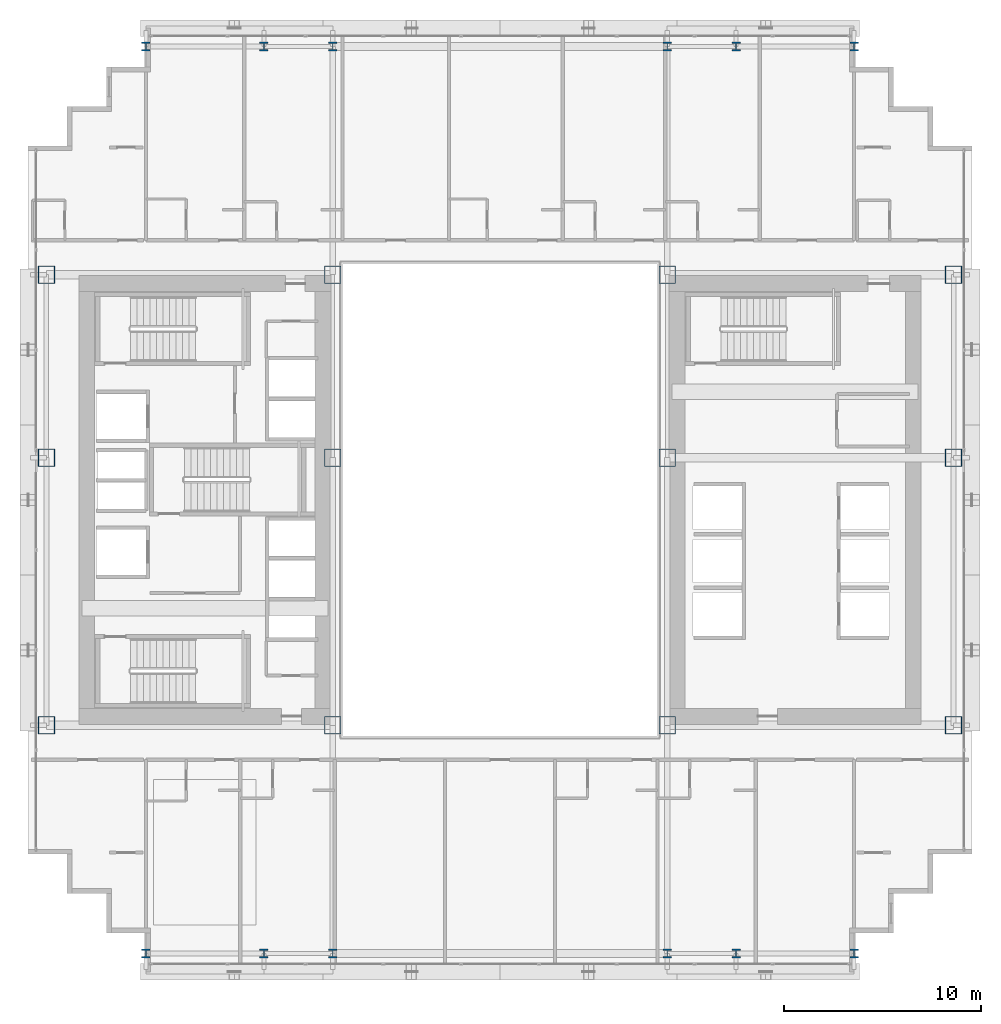
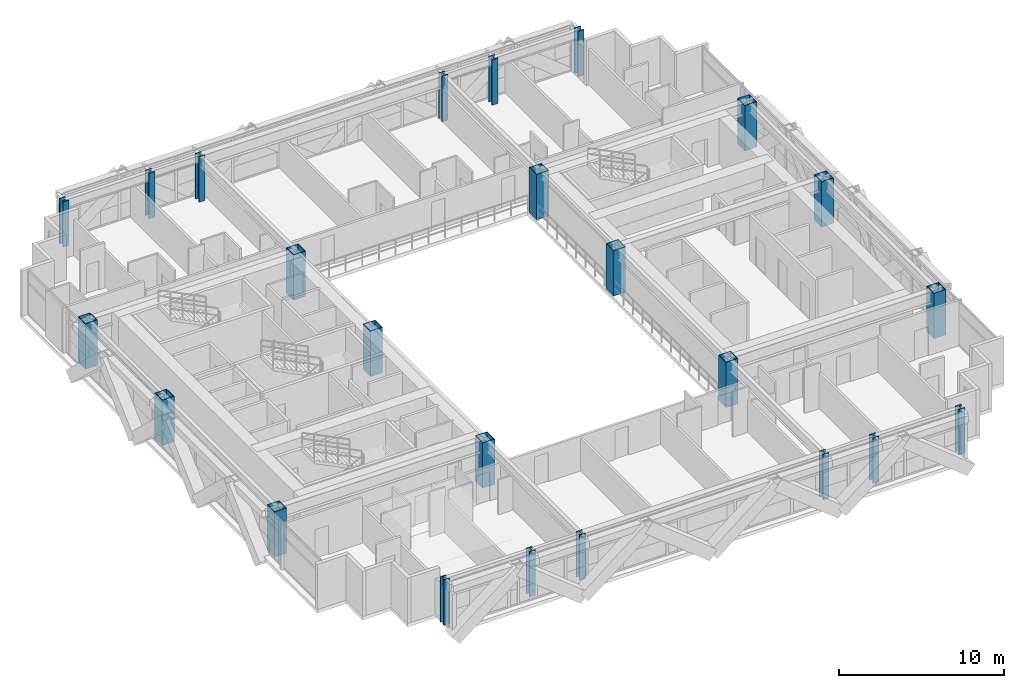
# One storey, part 1 of 35: 24 columns.
"""IFC4 building model written with IfcOpenShell, lengths in metres."""

import ifcopenshell
import ifcopenshell.guid

model = None  # the IFC model being written
_history = None  # IfcOwnerHistory: only IFC2X3 demands one
_inside = {}  # id of a spatial element -> (the spatial element, [elements in it])
_under = {}  # id of a project, library or spatial element -> (it, [spatial elements below it])
_declared = {}  # id of a project -> (the project, [libraries it declares])
_typed = {}  # id of a type object -> (the type object, [elements of that type])
_made_of = {}  # id of a material, layer set ... -> (it, [elements and type objects made of it])


def new_model(schema):
    """Start an empty IFC model of exactly this schema.

    Asked for "IFC4X3", IfcOpenShell would pick the latest addendum, in which some entities
    have other attributes; the version numbers below select the first issue.
    IFC2X3 requires an IfcOwnerHistory on every rooted entity: one is made here for all.
    """
    global model, _history
    if schema == "IFC4X3":
        model = ifcopenshell.file(schema_version=(4, 3, 0, 0))
    else:
        model = ifcopenshell.file(schema=schema)
    _inside.clear()
    _under.clear()
    _declared.clear()
    _typed.clear()
    _made_of.clear()
    _history = None
    if model.schema == "IFC2X3":
        org = make("IfcOrganization", Name="unknown")
        user = make(
            "IfcPersonAndOrganization",
            ThePerson=make("IfcPerson", FamilyName="unknown"),
            TheOrganization=org,
        )
        app = make(
            "IfcApplication",
            ApplicationDeveloper=org,
            Version="unknown",
            ApplicationFullName="unknown",
            ApplicationIdentifier="unknown",
        )
        _history = make(
            "IfcOwnerHistory",
            OwningUser=user,
            OwningApplication=app,
            ChangeAction="ADDED",
            CreationDate=0,
        )
    return model


def make(cls, **values):
    """One entity of the class cls with the attributes given. An attribute that is None is left unset."""
    return model.create_entity(
        cls, **{name: value for name, value in values.items() if value is not None}
    )


def rooted(cls, **values):
    """An entity with a GlobalId (a new one), such as an element, a storey or a relation."""
    return make(cls, GlobalId=ifcopenshell.guid.new(), OwnerHistory=_history, **values)


def si_unit(unit_type, name, prefix=None):
    """IfcSIUnit, for example si_unit("LENGTHUNIT", "METRE", prefix="MILLI")."""
    return make("IfcSIUnit", UnitType=unit_type, Prefix=prefix, Name=name)


def assignment(units):
    """IfcUnitAssignment: the units of a project."""
    return None if units is None else make("IfcUnitAssignment", Units=units)


def point(xyz):
    """IfcCartesianPoint."""
    return None if xyz is None else make("IfcCartesianPoint", Coordinates=xyz)


def direction(xyz):
    """IfcDirection."""
    return None if xyz is None else make("IfcDirection", DirectionRatios=xyz)


def frame(location, z_axis=None, x_axis=None):
    """IfcAxis2Placement3D, a coordinate frame: its origin and axes. An axis left out is left unset."""
    return make(
        "IfcAxis2Placement3D",
        Location=point(location),
        Axis=direction(z_axis),
        RefDirection=direction(x_axis),
    )


def frame_2d(location, x_axis=None):
    """IfcAxis2Placement2D, a coordinate frame in the plane: its origin and x axis."""
    return make(
        "IfcAxis2Placement2D", Location=point(location), RefDirection=direction(x_axis)
    )


def origin():
    """The frame at (0, 0, 0) with its axes left unset."""
    return frame((0.0, 0.0, 0.0))


def origin_2d():
    """The frame at (0, 0) in the plane with its x axis left unset."""
    return frame_2d((0.0, 0.0))


def place(relative_to, where):
    """IfcLocalPlacement: puts the frame where relative to a parent placement (None: the world)."""
    return make(
        "IfcLocalPlacement", PlacementRelTo=relative_to, RelativePlacement=where
    )


def context(
    kind, dimensions, precision=None, world=None, true_north=None, identifier=None
):
    """IfcGeometricRepresentationContext, for example the 3D "Model" context."""
    return make(
        "IfcGeometricRepresentationContext",
        ContextIdentifier=identifier,
        ContextType=kind,
        CoordinateSpaceDimension=dimensions,
        Precision=precision,
        WorldCoordinateSystem=world,
        TrueNorth=true_north,
    )


def subcontext(parent, identifier, kind, view, scale=None):
    """IfcGeometricRepresentationSubContext, for example "Body" below "Model"."""
    return make(
        "IfcGeometricRepresentationSubContext",
        ContextIdentifier=identifier,
        ContextType=kind,
        ParentContext=parent,
        TargetScale=scale,
        TargetView=view,
    )


def project(units=None, contexts=None):
    """IfcProject with its units and contexts."""
    return rooted(
        "IfcProject",
        Name="project",
        RepresentationContexts=contexts,
        UnitsInContext=assignment(units),
    )


def spatial(cls, under=None, at=None, **own):
    """A site, building, storey or space (cls), placed at a placement, below another one or the project."""
    s = rooted(cls, ObjectPlacement=at, **own)
    if under is not None:
        _under.setdefault(under.id(), (under, []))[1].append(s)
    return s


def profile(cls, at=None, kind="AREA", **sizes):
    """A parametric profile (cls). Its sizes go by their IFC names, for example OverallWidth=200.0."""
    return make(cls, ProfileType=kind, Position=at, **sizes)


def hollow_rectangle(**sizes):
    """IfcRectangleHollowProfileDef."""
    return profile("IfcRectangleHollowProfileDef", **sizes)


def i_section(**sizes):
    """IfcIShapeProfileDef."""
    return profile("IfcIShapeProfileDef", **sizes)


def extrude(swept, where, along, depth):
    """IfcExtrudedAreaSolid: the profile swept, set in the frame where, extruded along a direction by depth."""
    return make(
        "IfcExtrudedAreaSolid",
        SweptArea=swept,
        Position=where,
        ExtrudedDirection=direction(along),
        Depth=depth,
    )


def shape(context_of_items, identifier, shape_type, items):
    """IfcShapeRepresentation: the items that make up one representation, for example the "Body"."""
    return make(
        "IfcShapeRepresentation",
        ContextOfItems=context_of_items,
        RepresentationIdentifier=identifier,
        RepresentationType=shape_type,
        Items=items,
    )


def source(mapping_origin, context_of_items, identifier, shape_type, items):
    """IfcRepresentationMap: a shape defined once, which mapped items show again and again."""
    return make(
        "IfcRepresentationMap",
        MappingOrigin=mapping_origin,
        MappedRepresentation=shape(context_of_items, identifier, shape_type, items),
    )


def transform(
    local_origin,
    x_axis=None,
    y_axis=None,
    z_axis=None,
    scale=None,
    scale2=None,
    scale3=None,
    uniform=True,
):
    """IfcCartesianTransformationOperator3D, or its non-uniform kind. x_axis, y_axis, z_axis: its Axis1, 2, 3."""
    if uniform:
        return make(
            "IfcCartesianTransformationOperator3D",
            Axis1=direction(x_axis),
            Axis2=direction(y_axis),
            LocalOrigin=point(local_origin),
            Scale=scale,
            Axis3=direction(z_axis),
        )
    return make(
        "IfcCartesianTransformationOperator3DnonUniform",
        Axis1=direction(x_axis),
        Axis2=direction(y_axis),
        LocalOrigin=point(local_origin),
        Scale=scale,
        Axis3=direction(z_axis),
        Scale2=scale2,
        Scale3=scale3,
    )


def mapped(mapping_source, mapping_target):
    """IfcMappedItem: shows the shape of a source again, moved by a transform."""
    return make(
        "IfcMappedItem", MappingSource=mapping_source, MappingTarget=mapping_target
    )


def material(Name=None, Category=None):
    """IfcMaterial."""
    return make("IfcMaterial", Name=Name, Category=Category)


def material_profile(
    of_material, cross_section, Name=None, Category=None, Priority=None
):
    """IfcMaterialProfile: a cross section and its material."""
    return make(
        "IfcMaterialProfile",
        Name=Name,
        Material=of_material,
        Profile=cross_section,
        Priority=Priority,
        Category=Category,
    )


def profile_set(profiles, Name=None, composite=None):
    """IfcMaterialProfileSet."""
    return make(
        "IfcMaterialProfileSet",
        Name=Name,
        MaterialProfiles=profiles,
        CompositeProfile=composite,
    )


def made_of(thing, what):
    """Note that an element or type object is made of a material, layer set ...; save() writes the relation."""
    if what is not None:
        _made_of.setdefault(what.id(), (what, []))[1].append(thing)
    return thing


def type_object(cls, material=None, **own):
    """A type object (cls), such as IfcWallType, which elements share."""
    return made_of(rooted(cls, **own), material)


def element(
    cls,
    number,
    at=None,
    inside=None,
    cuts=None,
    type_object=None,
    material=None,
    context=None,
    identifier="Body",
    shape_type=None,
    held_by="IfcProductDefinitionShape",
    body=None,
    shapes=None,
    **own,
):
    """One element of the class cls, such as IfcWall. Its Tag is "e" and its number.

    at: its placement. inside: the storey or other place that contains it. cuts: it is an
    opening in that element (IfcRelVoidsElement). A single representation is given by context,
    identifier, shape_type and body (its items); several are given by shapes. held_by: the class
    of the entity that holds the representations. save() writes the other relations.
    """
    e = rooted(cls, Tag="e%d" % number, ObjectPlacement=at, **own)
    if body is not None:
        shapes = [shape(context, identifier, shape_type, body)]
    if shapes is not None:
        e.Representation = make(held_by, Representations=shapes)
    if inside is not None:
        _inside.setdefault(inside.id(), (inside, []))[1].append(e)
    if cuts is not None:
        rooted(
            "IfcRelVoidsElement", RelatingBuildingElement=cuts, RelatedOpeningElement=e
        )
    if type_object is not None:
        _typed.setdefault(type_object.id(), (type_object, []))[1].append(e)
    return made_of(e, material)


def aggregate(whole, parts):
    """IfcRelAggregates: a whole, such as a stair, and the parts it consists of."""
    return rooted("IfcRelAggregates", RelatingObject=whole, RelatedObjects=parts)


def save(model, path):
    """Write the relations noted so far, then the file.

    IfcRelAggregates (storeys below a building ...), IfcRelContainedInSpatialStructure (elements
    in a storey), IfcRelDefinesByType, IfcRelAssociatesMaterial and IfcRelDeclares: one each for
    every whole, place, type object, material and project.
    """
    for whole, parts in _under.values():
        aggregate(whole, parts)
    for where, things in _inside.values():
        rooted(
            "IfcRelContainedInSpatialStructure",
            RelatedElements=things,
            RelatingStructure=where,
        )
    for kind, things in _typed.values():
        rooted("IfcRelDefinesByType", RelatedObjects=things, RelatingType=kind)
    for what, things in _made_of.values():
        rooted("IfcRelAssociatesMaterial", RelatedObjects=things, RelatingMaterial=what)
    for by, libraries in _declared.values():
        rooted("IfcRelDeclares", RelatingContext=by, RelatedDefinitions=libraries)
    model.write(path)


model = new_model("IFC4")

# Units and contexts
model_context = context("Model", 3, precision=1e-05, world=origin(), true_north=direction((0.0, 1.0)))
body_context = subcontext(model_context, "Body", "Model", "MODEL_VIEW")
ifc_project = project(units=[si_unit("LENGTHUNIT", "METRE"), si_unit("AREAUNIT", "SQUARE_METRE"), si_unit("VOLUMEUNIT", "CUBIC_METRE"), si_unit("PLANEANGLEUNIT", "RADIAN"), si_unit("MASSUNIT", "GRAM", prefix="KILO")], contexts=[model_context])

# Site, building, storey
site_placement = place(None, origin())
site = spatial("IfcSite", under=ifc_project, at=site_placement, CompositionType="ELEMENT")
building_placement = place(site_placement, origin())
building = spatial("IfcBuilding", under=site, at=building_placement, Name="Ocotamira Hotel", CompositionType="ELEMENT")
storey_placement = place(building_placement, frame((0.0, 0.0, 70.800048828125)))
storey = spatial("IfcBuildingStorey", under=building, at=storey_placement, Name="L17", CompositionType="ELEMENT", Elevation=70.800048828125)

# Columns
ifc_material = material(Name="Steel ASTM A913 Grade 65", Category="steel")
ifc_material_profile_1 = material_profile(ifc_material, hollow_rectangle(XDim=0.85009765625, YDim=0.89990234375, WallThickness=0.0400390625, at=origin_2d()), Name="BOX900X850X40")
ifc_profile_set_1 = profile_set([ifc_material_profile_1], Name="Steel ASTM A913 Grade 65")
column_type_1 = type_object("IfcColumnType", Name="COL-BOX900", PredefinedType="COLUMN", material=ifc_profile_set_1)
shared_shape_1 = source(origin(), body_context, "Body", "SweptSolid", [
    extrude(hollow_rectangle(XDim=0.85009765625, YDim=0.89990234375, WallThickness=0.0400390625, at=origin_2d()), origin(), (0.0, 0.0, 1.0), 3.349853515625),
])
for number, where, z_axis, x_axis, name in (
    (1, (8.949951171875, 14.550048828125, 0.0), (0.0, 0.0, 1.0), (1.0, 0.0, 0.0), "L17 Column TW8_14"),
    (2, (23.5, 14.550048828125, 0.0), (0.0, 0.0, 1.0), (1.0, 0.0, 0.0), "L17 Column TW23_14"),
    (3, (40.5, 14.550048828125, 0.0), (0.0, 0.0, 1.0), (1.0, 0.0, 0.0), "L17 Column TE40_14"),
    (4, (55.050048828125, 14.550048828125, 0.0), (0.0, 0.0, 1.0), (1.0, 0.0, 0.0), "L17 Column TE55_14"),
    (5, (8.949951171875, 28.14990234375, 0.0), (0.0, 0.0, 1.0), (1.0, 0.0, 0.0), "L17 Column TW8_28"),
    (6, (23.5, 28.14990234375, 0.0), (0.0, 0.0, 1.0), (1.0, 0.0, 0.0), "L17 Column TW23_28"),
    (7, (40.5, 28.14990234375, 0.0), (0.0, 0.0, 1.0), (1.0, 0.0, 0.0), "L17 Column TE40_28"),
    (8, (55.050048828125, 28.14990234375, 0.0), (0.0, 0.0, 1.0), (1.0, 0.0, 0.0), "L17 Column TE55_28"),
    (9, (8.949951171875, 37.449951171875, 0.0), (0.0, 0.0, 1.0), (1.0, 0.0, 0.0), "L17 Column TW8_37"),
    (10, (23.5, 37.449951171875, 0.0), (0.0, 0.0, 1.0), (1.0, 0.0, 0.0), "L17 Column TW23_37"),
    (11, (40.5, 37.449951171875, 0.0), (0.0, 0.0, 1.0), (1.0, 0.0, 0.0), "L17 Column TE40_37"),
    (12, (55.050048828125, 37.449951171875, 0.0), (0.0, 0.0, 1.0), (1.0, 0.0, 0.0), "L17 Column TE55_37"),
):
    element("IfcColumn", number, at=place(storey_placement, frame(where, z_axis=z_axis, x_axis=x_axis)), inside=storey, type_object=column_type_1, Name=name, PredefinedType="COLUMN", context=body_context, shape_type="MappedRepresentation", body=[
        mapped(shared_shape_1, transform((0.0, 0.0, 0.0), scale=1.0)),
    ])
ifc_material_profile_2 = material_profile(ifc_material, i_section(OverallWidth=0.422119140625, OverallDepth=0.465087890625, WebThickness=0.044921875, FlangeThickness=0.072509765625, FilletRadius=0.02490234375, at=origin_2d()), Name="W14X398")
ifc_profile_set_2 = profile_set([ifc_material_profile_2], Name="Steel ASTM A913 Grade 65")
column_type_2 = type_object("IfcColumnType", Name="COL-W14X398", PredefinedType="COLUMN", material=ifc_profile_set_2)
shared_shape_2 = source(origin(), body_context, "Body", "SweptSolid", [
    extrude(i_section(OverallWidth=0.422119140625, OverallDepth=0.465087890625, WebThickness=0.044921875, FlangeThickness=0.072509765625, FilletRadius=0.02490234375, at=origin_2d()), origin(), (0.0, 0.0, 1.0), 3.349853515625),
])
for number, where, z_axis, x_axis, name in (
    (13, (14.0, 2.949951171875, 0.0), (0.0, 0.0, 1.0), (1.0, 0.0, 0.0), "L17 Column NSP1_14"),
    (14, (20.0, 2.949951171875, 0.0), (0.0, 0.0, 1.0), (1.0, 0.0, 0.0), "L17 Column NSP1_20"),
    (15, (23.5, 2.949951171875, 0.0), (0.0, 0.0, 1.0), (1.0, 0.0, 0.0), "L17 Column NSP1_23"),
    (16, (40.5, 2.949951171875, 0.0), (0.0, 0.0, 1.0), (1.0, 0.0, 0.0), "L17 Column NSP1_40"),
    (17, (44.0, 2.949951171875, 0.0), (0.0, 0.0, 1.0), (1.0, 0.0, 0.0), "L17 Column NSP1_44"),
    (18, (50.0, 2.949951171875, 0.0), (0.0, 0.0, 1.0), (1.0, 0.0, 0.0), "L17 Column NSP1_50"),
    (19, (14.0, 49.050048828125, 0.0), (0.0, 0.0, 1.0), (1.0, 0.0, 0.0), "L17 Column NSP2_14"),
    (20, (20.0, 49.050048828125, 0.0), (0.0, 0.0, 1.0), (1.0, 0.0, 0.0), "L17 Column NSP2_20"),
    (21, (23.5, 49.050048828125, 0.0), (0.0, 0.0, 1.0), (1.0, 0.0, 0.0), "L17 Column NSP2_23"),
    (22, (40.5, 49.050048828125, 0.0), (0.0, 0.0, 1.0), (1.0, 0.0, 0.0), "L17 Column NSP2_40"),
    (23, (44.0, 49.050048828125, 0.0), (0.0, 0.0, 1.0), (1.0, 0.0, 0.0), "L17 Column NSP2_44"),
    (24, (50.0, 49.050048828125, 0.0), (0.0, 0.0, 1.0), (1.0, 0.0, 0.0), "L17 Column NSP2_50"),
):
    element("IfcColumn", number, at=place(storey_placement, frame(where, z_axis=z_axis, x_axis=x_axis)), inside=storey, type_object=column_type_2, Name=name, PredefinedType="COLUMN", context=body_context, shape_type="MappedRepresentation", body=[
        mapped(shared_shape_2, transform((0.0, 0.0, 0.0), scale=1.0)),
    ])

save(model, "model.ifc")
